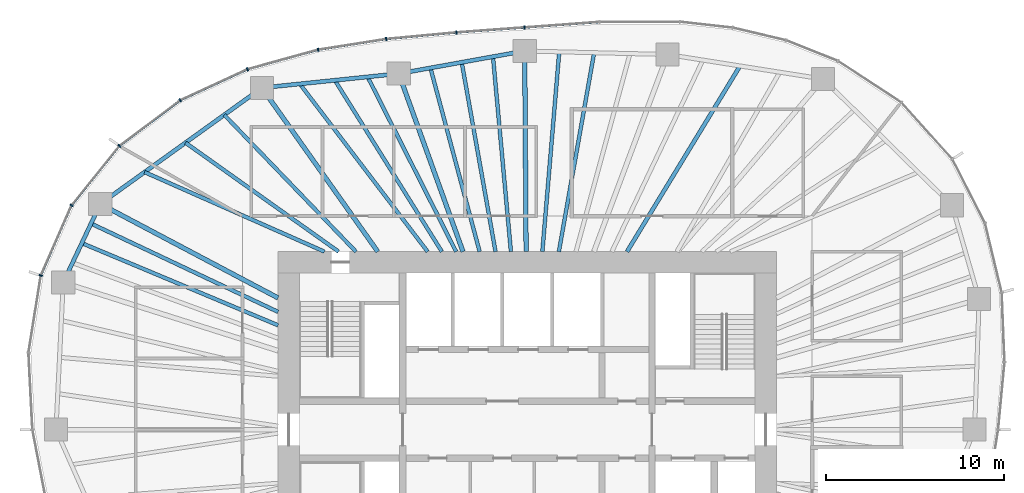
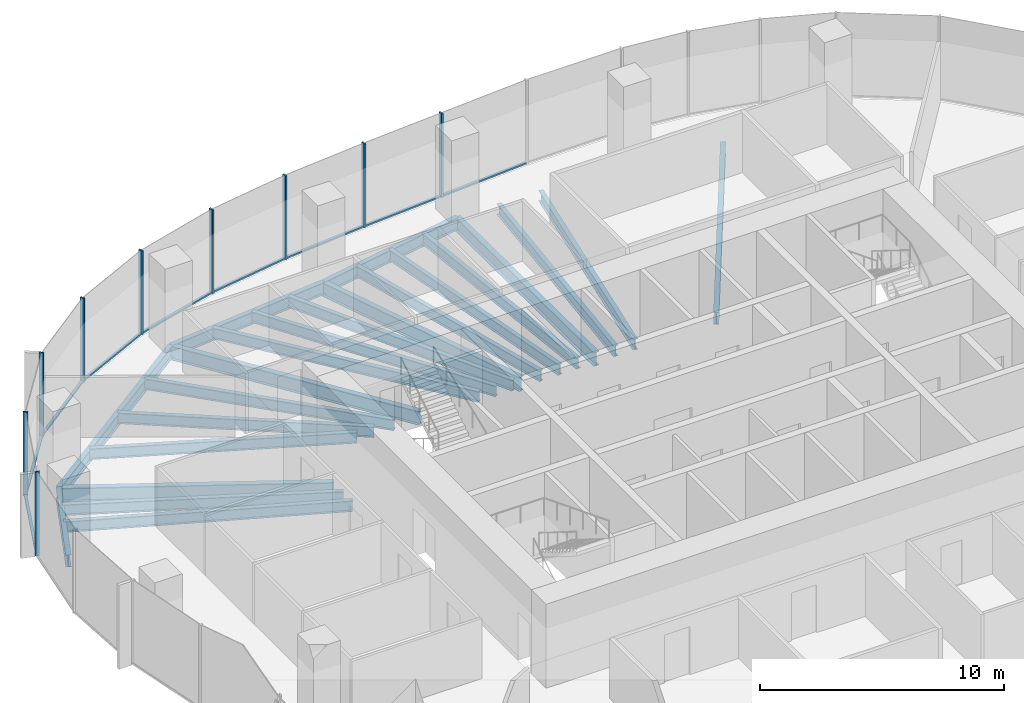
# One storey, part 5 of 12: 22 beams, 18 members, 6 elements without a shape of their own.
"""IFC4 building model written with IfcOpenShell, lengths in metres."""

from ifc_helpers import new_model, si_unit, direction, frame, origin, origin_2d, place, context, subcontext, project, spatial, rectangle, i_section, extrude, material, material_profile, profile_set, type_object, element, aggregate, save


model = new_model("IFC4")

# Units and contexts
model_context = context("Model", 3, precision=1e-05, world=origin(), true_north=direction((0.0, 1.0)))
body_context = subcontext(model_context, "Body", "Model", "MODEL_VIEW")
ifc_project = project(units=[si_unit("LENGTHUNIT", "METRE"), si_unit("AREAUNIT", "SQUARE_METRE"), si_unit("VOLUMEUNIT", "CUBIC_METRE"), si_unit("PLANEANGLEUNIT", "RADIAN"), si_unit("MASSUNIT", "GRAM", prefix="KILO")], contexts=[model_context])

# Site, building, storey
site_placement = place(None, origin())
site = spatial("IfcSite", under=ifc_project, at=site_placement, CompositionType="ELEMENT")
building_placement = place(site_placement, origin())
building = spatial("IfcBuilding", under=site, at=building_placement, Name="Ghaith Harvest Tower", CompositionType="ELEMENT")
storey_placement = place(building_placement, frame((0.0, 0.0, 199.0)))
storey = spatial("IfcBuildingStorey", under=building, at=storey_placement, Name="L43", CompositionType="ELEMENT", Elevation=199.0)

# Curtain wall, members
ifc_material_1 = material(Name="Black anodised aluminium and fritted glass", Category="aluminium")
curtain_wall_type = type_object("IfcCurtainWallType", Name="CW-H CURTAIN WALL", PredefinedType="NOTDEFINED", material=ifc_material_1)
curtain_wall_1_placement = place(storey_placement, origin())
curtain_wall_1 = element("IfcCurtainWall", 1, at=curtain_wall_1_placement, inside=storey, type_object=curtain_wall_type, Name="Curtain wall CW-H bay 06 L43", PredefinedType="NOTDEFINED")
ifc_material_2 = material(Name="Aluminium, black anodised", Category="aluminium")
ifc_material_profile_1 = material_profile(ifc_material_2, rectangle(XDim=0.080078125, YDim=0.199951171875, at=origin_2d()), Name="CW-H MULLION 80x200")
ifc_profile_set_1 = profile_set([ifc_material_profile_1], Name="Aluminium, black anodised")
member_type_1 = type_object("IfcMemberType", Name="CW-H MULLION 80x200", PredefinedType="MULLION", material=ifc_profile_set_1)
member_1_placement = place(storey_placement, frame((-0.154541015625, 22.590576171875, 0.0), z_axis=(0.0, 0.0, 1.0), x_axis=(-0.997329249665, -0.073036756239, 0.0)))
member_1 = element("IfcMember", 2, at=member_1_placement, type_object=member_type_1, Name="CW-H mullion 1 bay 06 L43", PredefinedType="MULLION", context=body_context, shape_type="SweptSolid", body=[
    extrude(rectangle(XDim=0.080078125, YDim=0.199951171875, at=origin_2d()), origin(), (0.0, 0.0, 1.0), 4.199951171875),
])
member_2_placement = place(storey_placement, frame((-3.984375, 22.310302734375, 0.0), z_axis=(0.0, 0.0, 1.0), x_axis=(-0.996522526822, -0.083323787336, 0.0)))
member_2 = element("IfcMember", 3, at=member_2_placement, type_object=member_type_1, Name="CW-H mullion 2 bay 06 L43", PredefinedType="MULLION", context=body_context, shape_type="SweptSolid", body=[
    extrude(rectangle(XDim=0.080078125, YDim=0.199951171875, at=origin_2d()), origin(), (0.0, 0.0, 1.0), 4.199951171875),
])

curtain_wall_2_placement = place(storey_placement, origin())
curtain_wall_2 = element("IfcCurtainWall", 4, at=curtain_wall_2_placement, inside=storey, type_object=curtain_wall_type, Name="Curtain wall CW-H bay 07 L43", PredefinedType="NOTDEFINED")
member_3_placement = place(storey_placement, frame((-7.924560546875, 21.94091796875, 0.0), z_axis=(0.0, 0.0, 1.0), x_axis=(-0.992235485325, -0.124373396119, 0.0)))
member_3 = element("IfcMember", 5, at=member_3_placement, type_object=member_type_1, Name="CW-H mullion 1 bay 07 L43", PredefinedType="MULLION", context=body_context, shape_type="SweptSolid", body=[
    extrude(rectangle(XDim=0.080078125, YDim=0.199951171875, at=origin_2d()), origin(), (0.0, 0.0, 1.0), 4.199951171875),
])
member_4_placement = place(storey_placement, frame((-11.75244140625, 21.336669921875, 0.0), z_axis=(0.0, 0.0, 1.0), x_axis=(-0.977086484172, -0.212842670646, 0.0)))
member_4 = element("IfcMember", 6, at=member_4_placement, type_object=member_type_1, Name="CW-H mullion 2 bay 07 L43", PredefinedType="MULLION", context=body_context, shape_type="SweptSolid", body=[
    extrude(rectangle(XDim=0.080078125, YDim=0.199951171875, at=origin_2d()), origin(), (0.0, 0.0, 1.0), 4.199951171875),
])

curtain_wall_3_placement = place(storey_placement, origin())
curtain_wall_3 = element("IfcCurtainWall", 7, at=curtain_wall_3_placement, inside=storey, type_object=curtain_wall_type, Name="Curtain wall CW-H bay 08 L43", PredefinedType="NOTDEFINED")
member_5_placement = place(storey_placement, frame((-15.720947265625, 20.242431640625, 0.0), z_axis=(0.0, 0.0, 1.0), x_axis=(-0.938930986476, -0.344105510906, 0.0)))
member_5 = element("IfcMember", 8, at=member_5_placement, type_object=member_type_1, Name="CW-H mullion 1 bay 08 L43", PredefinedType="MULLION", context=body_context, shape_type="SweptSolid", body=[
    extrude(rectangle(XDim=0.080078125, YDim=0.199951171875, at=origin_2d()), origin(), (0.0, 0.0, 1.0), 4.199951171875),
])
member_6_placement = place(storey_placement, frame((-19.4951171875, 18.4990234375, 0.0), z_axis=(0.0, 0.0, 1.0), x_axis=(-0.857998754004, -0.513651767376, 0.0)))
member_6 = element("IfcMember", 9, at=member_6_placement, type_object=member_type_1, Name="CW-H mullion 2 bay 08 L43", PredefinedType="MULLION", context=body_context, shape_type="SweptSolid", body=[
    extrude(rectangle(XDim=0.080078125, YDim=0.199951171875, at=origin_2d()), origin(), (0.0, 0.0, 1.0), 4.199951171875),
])

curtain_wall_4_placement = place(storey_placement, origin())
curtain_wall_4 = element("IfcCurtainWall", 10, at=curtain_wall_4_placement, inside=storey, type_object=curtain_wall_type, Name="Curtain wall CW-H bay 09 L43", PredefinedType="NOTDEFINED")
member_7_placement = place(storey_placement, frame((-22.908203125, 15.939697265625, 0.0), z_axis=(0.0, 0.0, 1.0), x_axis=(-0.719146135082, -0.694858860774, 0.0)))
member_7 = element("IfcMember", 11, at=member_7_placement, type_object=member_type_1, Name="CW-H mullion 1 bay 09 L43", PredefinedType="MULLION", context=body_context, shape_type="SweptSolid", body=[
    extrude(rectangle(XDim=0.080078125, YDim=0.199951171875, at=origin_2d()), origin(), (0.0, 0.0, 1.0), 4.199951171875),
])
member_8_placement = place(storey_placement, frame((-25.599609375, 12.6005859375, 0.0), z_axis=(0.0, 0.0, 1.0), x_axis=(-0.518769201232, -0.854914332464, 0.0)))
member_8 = element("IfcMember", 12, at=member_8_placement, type_object=member_type_1, Name="CW-H mullion 2 bay 09 L43", PredefinedType="MULLION", context=body_context, shape_type="SweptSolid", body=[
    extrude(rectangle(XDim=0.080078125, YDim=0.199951171875, at=origin_2d()), origin(), (0.0, 0.0, 1.0), 4.199951171875),
])

# Curtain wall, member
curtain_wall_5_placement = place(storey_placement, origin())
curtain_wall_5 = element("IfcCurtainWall", 13, at=curtain_wall_5_placement, inside=storey, type_object=curtain_wall_type, Name="Curtain wall CW-H bay 10 L43", PredefinedType="NOTDEFINED")
member_9_placement = place(storey_placement, frame((-27.32568359375, 8.659912109375, 0.0), z_axis=(0.0, 0.0, 1.0), x_axis=(-0.280520268431, -0.959848102045, 0.0)))
member_9 = element("IfcMember", 14, at=member_9_placement, type_object=member_type_1, Name="CW-H mullion 1 bay 10 L43", PredefinedType="MULLION", context=body_context, shape_type="SweptSolid", body=[
    extrude(rectangle(XDim=0.080078125, YDim=0.199951171875, at=origin_2d()), origin(), (0.0, 0.0, 1.0), 4.199951171875),
])
aggregate(curtain_wall_5, [member_9])

curtain_wall_6_placement = place(storey_placement, origin())
curtain_wall_6 = element("IfcCurtainWall", 15, at=curtain_wall_6_placement, inside=storey, type_object=curtain_wall_type, Name="Curtain wall CW-H bay 05 L43", PredefinedType="NOTDEFINED")
ifc_material_3 = material(Name="Aluminium, black anodised", Category="aluminium")
ifc_material_profile_2 = material_profile(ifc_material_3, rectangle(XDim=0.1298828125, YDim=0.080078125, at=origin_2d()), Name="CW-H TRANSOM 130x80")
ifc_profile_set_2 = profile_set([ifc_material_profile_2], Name="Aluminium, black anodised")
member_type_2 = type_object("IfcMemberType", Name="CW-H TRANSOM 130x80", PredefinedType="USERDEFINED", material=ifc_profile_set_2)
member_10_placement = place(storey_placement, frame((4.01953125, 22.896484375, 0.0400390625), z_axis=(-0.997325457985, -0.07308851384, 0.0), x_axis=(0.07308851384, -0.997325457985, 0.0)))
member_10 = element("IfcMember", 16, at=member_10_placement, type_object=member_type_2, Name="CW-H transom 2 bay 05 L43", ObjectType="TRANSOM", PredefinedType="USERDEFINED", context=body_context, shape_type="SweptSolid", body=[
    extrude(rectangle(XDim=0.1298828125, YDim=0.080078125, at=origin_2d()), origin(), (0.0, 0.0, 1.0), 4.145263671875),
])
aggregate(curtain_wall_6, [member_10])

# Member
member_11_placement = place(storey_placement, frame((-0.194580078125, 22.587646484375, 0.0400390625), z_axis=(-0.997332916649, -0.072986665689, 0.0), x_axis=(0.072986665689, -0.997332916649, 0.0)))
member_11 = element("IfcMember", 17, at=member_11_placement, type_object=member_type_2, Name="CW-H transom 1 bay 06 L43", ObjectType="TRANSOM", PredefinedType="USERDEFINED", context=body_context, shape_type="SweptSolid", body=[
    extrude(rectangle(XDim=0.1298828125, YDim=0.080078125, at=origin_2d()), origin(), (0.0, 0.0, 1.0), 3.759765625),
])

member_12_placement = place(storey_placement, frame((-4.024169921875, 22.306640625, 0.0400390625), z_axis=(-0.995631116984, -0.093373866217, 0.0), x_axis=(0.093373866217, -0.995631116984, 0.0)))
member_12 = element("IfcMember", 18, at=member_12_placement, type_object=member_type_2, Name="CW-H transom 2 bay 06 L43", ObjectType="TRANSOM", PredefinedType="USERDEFINED", context=body_context, shape_type="SweptSolid", body=[
    extrude(rectangle(XDim=0.1298828125, YDim=0.080078125, at=origin_2d()), origin(), (0.0, 0.0, 1.0), 3.87744140625),
])

aggregate(curtain_wall_1, [member_1, member_11, member_2, member_12])

member_13_placement = place(storey_placement, frame((-7.964111328125, 21.9345703125, 0.0400390625), z_axis=(-0.98776765914, -0.155932843097, 0.0), x_axis=(0.155932843097, -0.98776765914, 0.0)))
member_13 = element("IfcMember", 19, at=member_13_placement, type_object=member_type_2, Name="CW-H transom 1 bay 07 L43", ObjectType="TRANSOM", PredefinedType="USERDEFINED", context=body_context, shape_type="SweptSolid", body=[
    extrude(rectangle(XDim=0.1298828125, YDim=0.080078125, at=origin_2d()), origin(), (0.0, 0.0, 1.0), 3.795166015625),
])

member_14_placement = place(storey_placement, frame((-11.791015625, 21.325927734375, 0.0400390625), z_axis=(-0.964038584245, -0.265762315024, 0.0), x_axis=(0.265762315024, -0.964038584245, 0.0)))
member_14 = element("IfcMember", 20, at=member_14_placement, type_object=member_type_2, Name="CW-H transom 2 bay 07 L43", ObjectType="TRANSOM", PredefinedType="USERDEFINED", context=body_context, shape_type="SweptSolid", body=[
    extrude(rectangle(XDim=0.1298828125, YDim=0.080078125, at=origin_2d()), origin(), (0.0, 0.0, 1.0), 4.03662109375),
])

aggregate(curtain_wall_2, [member_3, member_13, member_4, member_14])

member_15_placement = place(storey_placement, frame((-15.75732421875, 20.2255859375, 0.0400390625), z_axis=(-0.907831404762, -0.419335355686, 0.0), x_axis=(0.419335355686, -0.907831404762, 0.0)))
member_15 = element("IfcMember", 21, at=member_15_placement, type_object=member_type_2, Name="CW-H transom 1 bay 08 L43", ObjectType="TRANSOM", PredefinedType="USERDEFINED", context=body_context, shape_type="SweptSolid", body=[
    extrude(rectangle(XDim=0.1298828125, YDim=0.080078125, at=origin_2d()), origin(), (0.0, 0.0, 1.0), 4.0771484375),
])

member_16_placement = place(storey_placement, frame((-19.527099609375, 18.47509765625, 0.0400390625), z_axis=(-0.800041988873, -0.599944010755, 0.0), x_axis=(0.599944010755, -0.800041988873, 0.0)))
member_16 = element("IfcMember", 22, at=member_16_placement, type_object=member_type_2, Name="CW-H transom 2 bay 08 L43", ObjectType="TRANSOM", PredefinedType="USERDEFINED", context=body_context, shape_type="SweptSolid", body=[
    extrude(rectangle(XDim=0.1298828125, YDim=0.080078125, at=origin_2d()), origin(), (0.0, 0.0, 1.0), 4.186279296875),
])

aggregate(curtain_wall_3, [member_5, member_15, member_6, member_16])

member_17_placement = place(storey_placement, frame((-22.933349609375, 15.90869140625, 0.0400390625), z_axis=(-0.6275347306, -0.778588570357, 0.0), x_axis=(0.778588570357, -0.6275347306, 0.0)))
member_17 = element("IfcMember", 23, at=member_17_placement, type_object=member_type_2, Name="CW-H transom 1 bay 09 L43", ObjectType="TRANSOM", PredefinedType="USERDEFINED", context=body_context, shape_type="SweptSolid", body=[
    extrude(rectangle(XDim=0.1298828125, YDim=0.080078125, at=origin_2d()), origin(), (0.0, 0.0, 1.0), 4.208740234375),
])

member_18_placement = place(storey_placement, frame((-25.61572265625, 12.56396484375, 0.0400390625), z_axis=(-0.401185844746, -0.915996680112, 0.0), x_axis=(0.915996680112, -0.401185844746, 0.0)))
member_18 = element("IfcMember", 24, at=member_18_placement, type_object=member_type_2, Name="CW-H transom 2 bay 09 L43", ObjectType="TRANSOM", PredefinedType="USERDEFINED", context=body_context, shape_type="SweptSolid", body=[
    extrude(rectangle(XDim=0.1298828125, YDim=0.080078125, at=origin_2d()), origin(), (0.0, 0.0, 1.0), 4.22216796875),
])

aggregate(curtain_wall_4, [member_7, member_17, member_8, member_18])

# Beams
ifc_material_4 = material(Name="Steel ASTM A992 Grade 50", Category="steel")
ifc_material_profile_3 = material_profile(ifc_material_4, i_section(OverallWidth=0.22900390625, OverallDepth=0.612060546875, WebThickness=0.011962890625, FlangeThickness=0.01953125, at=origin_2d()), Name="W610X125")
ifc_profile_set_3 = profile_set([ifc_material_profile_3], Name="Steel ASTM A992 Grade 50")
beam_type_1 = type_object("IfcBeamType", Name="E610-125 W610X125", PredefinedType="SPANDREL", material=ifc_profile_set_3)
beam_1_placement = place(storey_placement, frame((-0.14599609375, 21.27099609375, -0.47607421875), z_axis=(-0.984177047684, -0.177187863051, 0.0), x_axis=(0.177187863051, -0.984177047684, 0.0)))
element("IfcBeam", 25, at=beam_1_placement, inside=storey, type_object=beam_type_1, Name="Edge beam E06 L43", PredefinedType="SPANDREL", context=body_context, shape_type="SweptSolid", body=[
    extrude(i_section(OverallWidth=0.22900390625, OverallDepth=0.612060546875, WebThickness=0.011962890625, FlangeThickness=0.01953125, at=origin_2d()), origin(), (0.0, 0.0, 1.0), 7.189697265625),
])
beam_2_placement = place(storey_placement, frame((-7.221923828125, 19.9970703125, -0.47607421875), z_axis=(-0.994669141618, -0.103117887451, 0.0), x_axis=(0.103117887451, -0.994669141618, 0.0)))
element("IfcBeam", 26, at=beam_2_placement, inside=storey, type_object=beam_type_1, Name="Edge beam E07 L43", PredefinedType="SPANDREL", context=body_context, shape_type="SweptSolid", body=[
    extrude(i_section(OverallWidth=0.22900390625, OverallDepth=0.612060546875, WebThickness=0.011962890625, FlangeThickness=0.01953125, at=origin_2d()), origin(), (0.0, 0.0, 1.0), 7.730224609375),
])
beam_3_placement = place(storey_placement, frame((-14.910888671875, 19.199951171875, -0.47607421875), z_axis=(-0.812050311838, -0.583587432219, 0.0), x_axis=(0.583587432219, -0.812050311838, 0.0)))
element("IfcBeam", 27, at=beam_3_placement, inside=storey, type_object=beam_type_1, Name="Edge beam E08 L43", PredefinedType="SPANDREL", context=body_context, shape_type="SweptSolid", body=[
    extrude(i_section(OverallWidth=0.22900390625, OverallDepth=0.612060546875, WebThickness=0.011962890625, FlangeThickness=0.01953125, at=origin_2d()), origin(), (0.0, 0.0, 1.0), 11.175537109375),
])
beam_4_placement = place(storey_placement, frame((-23.986083984375, 12.677978515625, -0.47607421875), z_axis=(-0.426170247297, -0.904642979478, 0.0), x_axis=(0.904642979478, -0.426170247297, 0.0)))
element("IfcBeam", 28, at=beam_4_placement, inside=storey, type_object=beam_type_1, Name="Edge beam E09 L43", PredefinedType="SPANDREL", context=body_context, shape_type="SweptSolid", body=[
    extrude(i_section(OverallWidth=0.22900390625, OverallDepth=0.612060546875, WebThickness=0.011962890625, FlangeThickness=0.01953125, at=origin_2d()), origin(), (0.0, 0.0, 1.0), 4.882568359375),
])
ifc_material_5 = material(Name="Steel ASTM A992 Grade 50", Category="steel")
ifc_material_profile_4 = material_profile(ifc_material_5, i_section(OverallWidth=0.256103515625, OverallDepth=0.693115234375, WebThickness=0.014404296875, FlangeThickness=0.023681640625, at=origin_2d()), Name="W690X170")
ifc_profile_set_4 = profile_set([ifc_material_profile_4], Name="Steel ASTM A992 Grade 50")
beam_type_2 = type_object("IfcBeamType", Name="G690-170 W690X170", PredefinedType="BEAM", material=ifc_profile_set_4)
beam_5_placement = place(storey_placement, frame((-0.068359375, 10.0, -0.5166015625), z_axis=(-0.006888022705, 0.99997627729, 0.0), x_axis=(-0.99997627729, -0.006888022705, 0.0)))
element("IfcBeam", 29, at=beam_5_placement, inside=storey, type_object=beam_type_2, Name="Radial girder G06 L43", PredefinedType="BEAM", context=body_context, shape_type="SweptSolid", body=[
    extrude(i_section(OverallWidth=0.256103515625, OverallDepth=0.693115234375, WebThickness=0.014404296875, FlangeThickness=0.023681640625, at=origin_2d()), origin(), (0.0, 0.0, 1.0), 11.271240234375),
])
beam_6_placement = place(storey_placement, frame((-3.61181640625, 10.0, -0.5166015625), z_axis=(-0.339648979266, 0.940552269086, 0.0), x_axis=(-0.940552269086, -0.339648979266, 0.0)))
element("IfcBeam", 30, at=beam_6_placement, inside=storey, type_object=beam_type_2, Name="Radial girder G07 L43", PredefinedType="BEAM", context=body_context, shape_type="SweptSolid", body=[
    extrude(i_section(OverallWidth=0.256103515625, OverallDepth=0.693115234375, WebThickness=0.014404296875, FlangeThickness=0.023681640625, at=origin_2d()), origin(), (0.0, 0.0, 1.0), 10.62890625),
])
beam_7_placement = place(storey_placement, frame((-8.39990234375, 10.0, -0.5166015625), z_axis=(-0.577683734365, 0.816260683268, 0.0), x_axis=(-0.816260683268, -0.577683734365, 0.0)))
element("IfcBeam", 31, at=beam_7_placement, inside=storey, type_object=beam_type_2, Name="Radial girder G08 L43", PredefinedType="BEAM", context=body_context, shape_type="SweptSolid", body=[
    extrude(i_section(OverallWidth=0.256103515625, OverallDepth=0.693115234375, WebThickness=0.014404296875, FlangeThickness=0.023681640625, at=origin_2d()), origin(), (0.0, 0.0, 1.0), 11.270751953125),
])
beam_8_placement = place(storey_placement, frame((-14.0, 7.39990234375, -0.5166015625), z_axis=(-0.884105273337, 0.467287776062, 0.0), x_axis=(-0.467287776062, -0.884105273337, 0.0)))
element("IfcBeam", 32, at=beam_8_placement, inside=storey, type_object=beam_type_2, Name="Radial girder G09 L43", PredefinedType="BEAM", context=body_context, shape_type="SweptSolid", body=[
    extrude(i_section(OverallWidth=0.256103515625, OverallDepth=0.693115234375, WebThickness=0.014404296875, FlangeThickness=0.023681640625, at=origin_2d()), origin(), (0.0, 0.0, 1.0), 11.295166015625),
])
ifc_material_6 = material(Name="Steel ASTM A992 Grade 50", Category="steel")
ifc_material_profile_5 = material_profile(ifc_material_6, i_section(OverallWidth=0.2109375, OverallDepth=0.5390625, WebThickness=0.01171875, FlangeThickness=0.018798828125, at=origin_2d()), Name="W530X109")
ifc_profile_set_5 = profile_set([ifc_material_profile_5], Name="Steel ASTM A992 Grade 50")
beam_type_3 = type_object("IfcBeamType", Name="J530-109 W530X109", PredefinedType="JOIST", material=ifc_profile_set_5)
beam_9_placement = place(storey_placement, frame((1.772705078125, 10.0, -0.439453125), z_axis=(0.17455599258, 0.984647249249, 0.0), x_axis=(-0.984647249249, 0.17455599258, 0.0)))
element("IfcBeam", 33, at=beam_9_placement, inside=storey, type_object=beam_type_3, Name="Joist J05.2 L43", PredefinedType="JOIST", context=body_context, shape_type="SweptSolid", body=[
    extrude(i_section(OverallWidth=0.2109375, OverallDepth=0.5390625, WebThickness=0.01171875, FlangeThickness=0.018798828125, at=origin_2d()), origin(), (0.0, 0.0, 1.0), 11.3486328125),
])
beam_10_placement = place(storey_placement, frame((0.844970703125, 10.0, -0.439453125), z_axis=(0.084213263804, 0.996447753873, 0.0), x_axis=(-0.996447753873, 0.084213263804, 0.0)))
element("IfcBeam", 34, at=beam_10_placement, inside=storey, type_object=beam_type_3, Name="Joist J05.3 L43", PredefinedType="JOIST", context=body_context, shape_type="SweptSolid", body=[
    extrude(i_section(OverallWidth=0.2109375, OverallDepth=0.5390625, WebThickness=0.01171875, FlangeThickness=0.018798828125, at=origin_2d()), origin(), (0.0, 0.0, 1.0), 11.262939453125),
])
beam_11_placement = place(storey_placement, frame((-0.92041015625, 10.0, -0.439453125), z_axis=(-0.091648687045, 0.995791402937, 0.0), x_axis=(-0.995791402937, -0.091648687045, 0.0)))
element("IfcBeam", 35, at=beam_11_placement, inside=storey, type_object=beam_type_3, Name="Joist J06.1 L43", PredefinedType="JOIST", context=body_context, shape_type="SweptSolid", body=[
    extrude(i_section(OverallWidth=0.2109375, OverallDepth=0.5390625, WebThickness=0.01171875, FlangeThickness=0.018798828125, at=origin_2d()), origin(), (0.0, 0.0, 1.0), 10.99658203125),
])
beam_12_placement = place(storey_placement, frame((-1.785888671875, 10.0, -0.439453125), z_axis=(-0.175793767479, 0.984427016754, 0.0), x_axis=(-0.984427016754, -0.175793767479, 0.0)))
element("IfcBeam", 36, at=beam_12_placement, inside=storey, type_object=beam_type_3, Name="Joist J06.2 L43", PredefinedType="JOIST", context=body_context, shape_type="SweptSolid", body=[
    extrude(i_section(OverallWidth=0.2109375, OverallDepth=0.5390625, WebThickness=0.01171875, FlangeThickness=0.018798828125, at=origin_2d()), origin(), (0.0, 0.0, 1.0), 10.802001953125),
])
beam_13_placement = place(storey_placement, frame((-2.677978515625, 10.0, -0.439453125), z_axis=(-0.258674007994, 0.965964677195, 0.0), x_axis=(-0.965964677195, -0.258674007994, 0.0)))
element("IfcBeam", 37, at=beam_13_placement, inside=storey, type_object=beam_type_3, Name="Joist J06.3 L43", PredefinedType="JOIST", context=body_context, shape_type="SweptSolid", body=[
    extrude(i_section(OverallWidth=0.2109375, OverallDepth=0.5390625, WebThickness=0.01171875, FlangeThickness=0.018798828125, at=origin_2d()), origin(), (0.0, 0.0, 1.0), 10.68115234375),
])
beam_14_placement = place(storey_placement, frame((-4.0, 10.0, -0.439453125), z_axis=(-0.451646219201, 0.892197115374, 0.0), x_axis=(-0.892197115374, -0.451646219201, 0.0)))
element("IfcBeam", 38, at=beam_14_placement, inside=storey, type_object=beam_type_3, Name="Joist J07.1 L43", PredefinedType="JOIST", context=body_context, shape_type="SweptSolid", body=[
    extrude(i_section(OverallWidth=0.2109375, OverallDepth=0.5390625, WebThickness=0.01171875, FlangeThickness=0.018798828125, at=origin_2d()), origin(), (0.0, 0.0, 1.0), 11.001953125),
])
beam_15_placement = place(storey_placement, frame((-4.800048828125, 10.0, -0.439453125), z_axis=(-0.529627564093, 0.848230300893, 0.0), x_axis=(-0.848230300893, -0.529627564093, 0.0)))
element("IfcBeam", 39, at=beam_15_placement, inside=storey, type_object=beam_type_3, Name="Joist J07.2 L43", PredefinedType="JOIST", context=body_context, shape_type="SweptSolid", body=[
    extrude(i_section(OverallWidth=0.2109375, OverallDepth=0.5390625, WebThickness=0.01171875, FlangeThickness=0.018798828125, at=origin_2d()), origin(), (0.0, 0.0, 1.0), 11.34716796875),
])
beam_16_placement = place(storey_placement, frame((-5.60009765625, 10.0, -0.439453125), z_axis=(-0.605976135502, 0.795482823952, 0.0), x_axis=(-0.795482823952, -0.605976135502, 0.0)))
element("IfcBeam", 40, at=beam_16_placement, inside=storey, type_object=beam_type_3, Name="Joist J07.3 L43", PredefinedType="JOIST", context=body_context, shape_type="SweptSolid", body=[
    extrude(i_section(OverallWidth=0.2109375, OverallDepth=0.5390625, WebThickness=0.01171875, FlangeThickness=0.018798828125, at=origin_2d()), origin(), (0.0, 0.0, 1.0), 11.84326171875),
])
beam_17_placement = place(storey_placement, frame((-9.626708984375, 10.0, -0.439453125), z_axis=(-0.69354049188, 0.720417647009, 0.0), x_axis=(-0.720417647009, -0.69354049188, 0.0)))
element("IfcBeam", 41, at=beam_17_placement, inside=storey, type_object=beam_type_3, Name="Joist J08.1 L43", PredefinedType="JOIST", context=body_context, shape_type="SweptSolid", body=[
    extrude(i_section(OverallWidth=0.2109375, OverallDepth=0.5390625, WebThickness=0.01171875, FlangeThickness=0.018798828125, at=origin_2d()), origin(), (0.0, 0.0, 1.0), 10.6640625),
])
beam_18_placement = place(storey_placement, frame((-10.60009765625, 10.0, -0.439453125), z_axis=(-0.814837070547, 0.579690045164, 0.0), x_axis=(-0.579690045164, -0.814837070547, 0.0)))
element("IfcBeam", 42, at=beam_18_placement, inside=storey, type_object=beam_type_3, Name="Joist J08.2 L43", PredefinedType="JOIST", context=body_context, shape_type="SweptSolid", body=[
    extrude(i_section(OverallWidth=0.2109375, OverallDepth=0.5390625, WebThickness=0.01171875, FlangeThickness=0.018798828125, at=origin_2d()), origin(), (0.0, 0.0, 1.0), 10.5537109375),
])
beam_19_placement = place(storey_placement, frame((-11.39990234375, 10.0, -0.439453125), z_axis=(-0.914561290029, 0.40444733499, 0.0), x_axis=(-0.40444733499, -0.914561290029, 0.0)))
element("IfcBeam", 43, at=beam_19_placement, inside=storey, type_object=beam_type_3, Name="Joist J08.3 L43", PredefinedType="JOIST", context=body_context, shape_type="SweptSolid", body=[
    extrude(i_section(OverallWidth=0.2109375, OverallDepth=0.5390625, WebThickness=0.01171875, FlangeThickness=0.018798828125, at=origin_2d()), origin(), (0.0, 0.0, 1.0), 11.041748046875),
])
beam_20_placement = place(storey_placement, frame((-14.0, 6.614990234375, -0.439453125), z_axis=(-0.904154184779, 0.427206285238, 0.0), x_axis=(-0.427206285238, -0.904154184779, 0.0)))
element("IfcBeam", 44, at=beam_20_placement, inside=storey, type_object=beam_type_3, Name="Joist J09.1 L43", PredefinedType="JOIST", context=body_context, shape_type="SweptSolid", body=[
    extrude(i_section(OverallWidth=0.2109375, OverallDepth=0.5390625, WebThickness=0.01171875, FlangeThickness=0.018798828125, at=origin_2d()), origin(), (0.0, 0.0, 1.0), 11.61767578125),
])
beam_21_placement = place(storey_placement, frame((-14.0, 5.862548828125, -0.439453125), z_axis=(-0.922380898158, 0.386281605455, 0.0), x_axis=(-0.386281605455, -0.922380898158, 0.0)))
element("IfcBeam", 45, at=beam_21_placement, inside=storey, type_object=beam_type_3, Name="Joist J09.2 L43", PredefinedType="JOIST", context=body_context, shape_type="SweptSolid", body=[
    extrude(i_section(OverallWidth=0.2109375, OverallDepth=0.5390625, WebThickness=0.01171875, FlangeThickness=0.018798828125, at=origin_2d()), origin(), (0.0, 0.0, 1.0), 11.94970703125),
])
ifc_material_7 = material(Name="Steel ASTM A992 Grade 50", Category="steel")
ifc_material_profile_6 = material_profile(ifc_material_7, i_section(OverallWidth=0.22900390625, OverallDepth=0.612060546875, WebThickness=0.011962890625, FlangeThickness=0.01953125, at=origin_2d()), Name="W610X125")
ifc_profile_set_6 = profile_set([ifc_material_profile_6], Name="Steel ASTM A992 Grade 50")
beam_type_4 = type_object("IfcBeamType", Name="J610-125 W610X125", PredefinedType="JOIST", material=ifc_profile_set_6)
beam_22_placement = place(storey_placement, frame((5.60009765625, 10.0, -0.47607421875), z_axis=(0.519863845761, 0.854249133374, 0.0), x_axis=(-0.854249133374, 0.519863845761, 0.0)))
element("IfcBeam", 46, at=beam_22_placement, inside=storey, type_object=beam_type_4, Name="Joist J04.2 L43", PredefinedType="JOIST", context=body_context, shape_type="SweptSolid", body=[
    extrude(i_section(OverallWidth=0.22900390625, OverallDepth=0.612060546875, WebThickness=0.011962890625, FlangeThickness=0.01953125, at=origin_2d()), origin(), (0.0, 0.0, 1.0), 12.209716796875),
])

save(model, "model.ifc")
